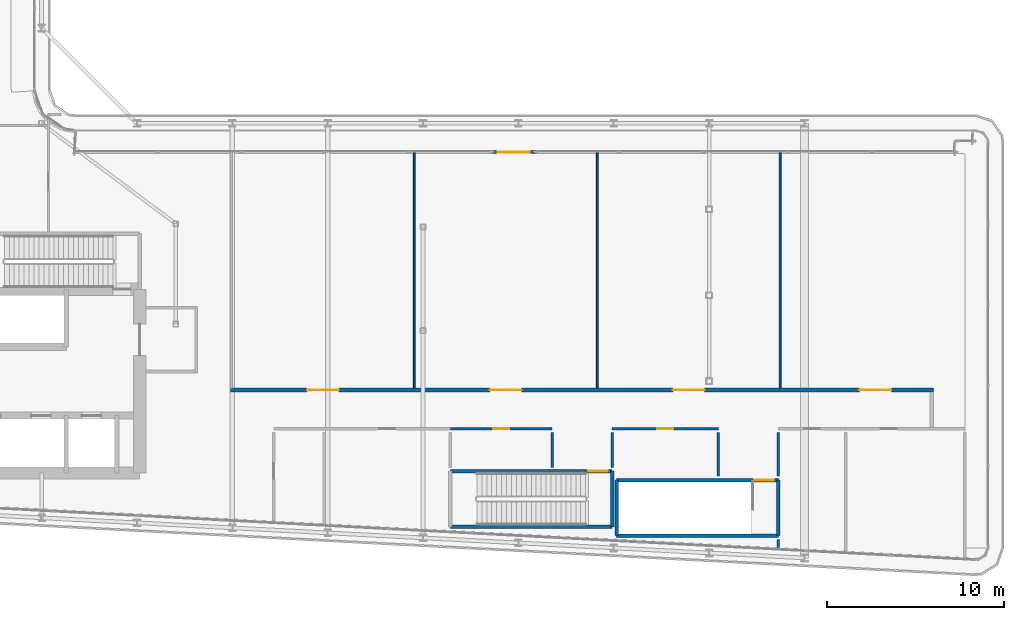
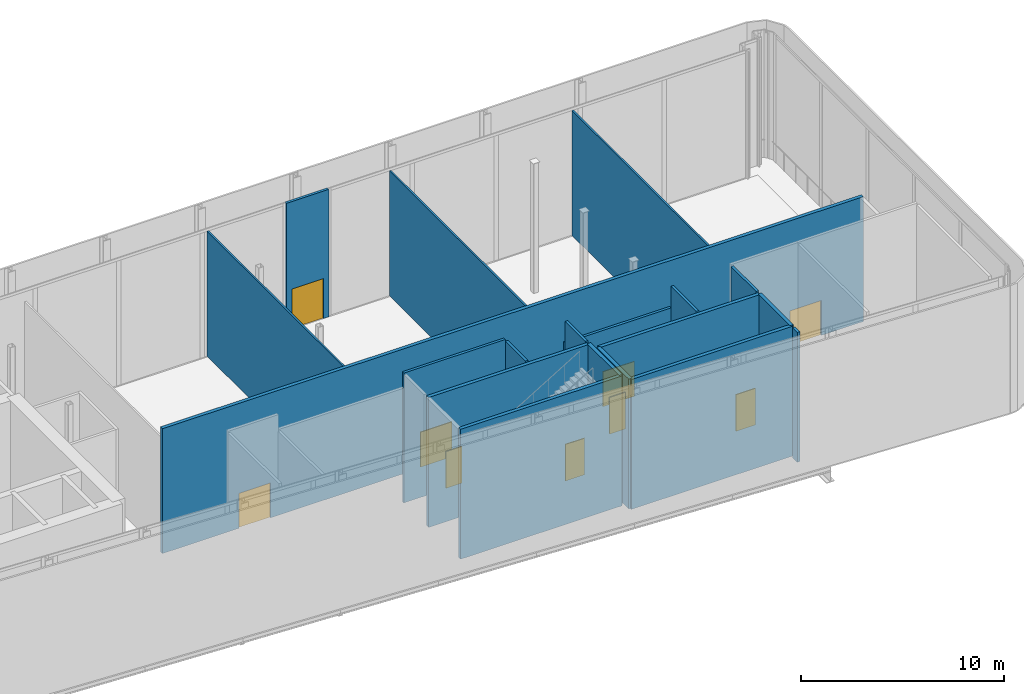
# One storey, part 28 of 38: 19 walls, 9 doors, 9 openings.
"""IFC4 building model written with IfcOpenShell, lengths in metres."""

import ifcopenshell
import ifcopenshell.guid

model = None  # the IFC model being written
_history = None  # IfcOwnerHistory: only IFC2X3 demands one
_inside = {}  # id of a spatial element -> (the spatial element, [elements in it])
_under = {}  # id of a project, library or spatial element -> (it, [spatial elements below it])
_declared = {}  # id of a project -> (the project, [libraries it declares])
_typed = {}  # id of a type object -> (the type object, [elements of that type])
_made_of = {}  # id of a material, layer set ... -> (it, [elements and type objects made of it])


def new_model(schema):
    """Start an empty IFC model of exactly this schema.

    Asked for "IFC4X3", IfcOpenShell would pick the latest addendum, in which some entities
    have other attributes; the version numbers below select the first issue.
    IFC2X3 requires an IfcOwnerHistory on every rooted entity: one is made here for all.
    """
    global model, _history
    if schema == "IFC4X3":
        model = ifcopenshell.file(schema_version=(4, 3, 0, 0))
    else:
        model = ifcopenshell.file(schema=schema)
    _inside.clear()
    _under.clear()
    _declared.clear()
    _typed.clear()
    _made_of.clear()
    _history = None
    if model.schema == "IFC2X3":
        org = make("IfcOrganization", Name="unknown")
        user = make(
            "IfcPersonAndOrganization",
            ThePerson=make("IfcPerson", FamilyName="unknown"),
            TheOrganization=org,
        )
        app = make(
            "IfcApplication",
            ApplicationDeveloper=org,
            Version="unknown",
            ApplicationFullName="unknown",
            ApplicationIdentifier="unknown",
        )
        _history = make(
            "IfcOwnerHistory",
            OwningUser=user,
            OwningApplication=app,
            ChangeAction="ADDED",
            CreationDate=0,
        )
    return model


def make(cls, **values):
    """One entity of the class cls with the attributes given. An attribute that is None is left unset."""
    return model.create_entity(
        cls, **{name: value for name, value in values.items() if value is not None}
    )


def rooted(cls, **values):
    """An entity with a GlobalId (a new one), such as an element, a storey or a relation."""
    return make(cls, GlobalId=ifcopenshell.guid.new(), OwnerHistory=_history, **values)


def si_unit(unit_type, name, prefix=None):
    """IfcSIUnit, for example si_unit("LENGTHUNIT", "METRE", prefix="MILLI")."""
    return make("IfcSIUnit", UnitType=unit_type, Prefix=prefix, Name=name)


def assignment(units):
    """IfcUnitAssignment: the units of a project."""
    return None if units is None else make("IfcUnitAssignment", Units=units)


def point(xyz):
    """IfcCartesianPoint."""
    return None if xyz is None else make("IfcCartesianPoint", Coordinates=xyz)


def direction(xyz):
    """IfcDirection."""
    return None if xyz is None else make("IfcDirection", DirectionRatios=xyz)


def frame(location, z_axis=None, x_axis=None):
    """IfcAxis2Placement3D, a coordinate frame: its origin and axes. An axis left out is left unset."""
    return make(
        "IfcAxis2Placement3D",
        Location=point(location),
        Axis=direction(z_axis),
        RefDirection=direction(x_axis),
    )


def frame_2d(location, x_axis=None):
    """IfcAxis2Placement2D, a coordinate frame in the plane: its origin and x axis."""
    return make(
        "IfcAxis2Placement2D", Location=point(location), RefDirection=direction(x_axis)
    )


def origin():
    """The frame at (0, 0, 0) with its axes left unset."""
    return frame((0.0, 0.0, 0.0))


def place(relative_to, where):
    """IfcLocalPlacement: puts the frame where relative to a parent placement (None: the world)."""
    return make(
        "IfcLocalPlacement", PlacementRelTo=relative_to, RelativePlacement=where
    )


def context(
    kind, dimensions, precision=None, world=None, true_north=None, identifier=None
):
    """IfcGeometricRepresentationContext, for example the 3D "Model" context."""
    return make(
        "IfcGeometricRepresentationContext",
        ContextIdentifier=identifier,
        ContextType=kind,
        CoordinateSpaceDimension=dimensions,
        Precision=precision,
        WorldCoordinateSystem=world,
        TrueNorth=true_north,
    )


def subcontext(parent, identifier, kind, view, scale=None):
    """IfcGeometricRepresentationSubContext, for example "Body" below "Model"."""
    return make(
        "IfcGeometricRepresentationSubContext",
        ContextIdentifier=identifier,
        ContextType=kind,
        ParentContext=parent,
        TargetScale=scale,
        TargetView=view,
    )


def project(units=None, contexts=None):
    """IfcProject with its units and contexts."""
    return rooted(
        "IfcProject",
        Name="project",
        RepresentationContexts=contexts,
        UnitsInContext=assignment(units),
    )


def spatial(cls, under=None, at=None, **own):
    """A site, building, storey or space (cls), placed at a placement, below another one or the project."""
    s = rooted(cls, ObjectPlacement=at, **own)
    if under is not None:
        _under.setdefault(under.id(), (under, []))[1].append(s)
    return s


def profile(cls, at=None, kind="AREA", **sizes):
    """A parametric profile (cls). Its sizes go by their IFC names, for example OverallWidth=200.0."""
    return make(cls, ProfileType=kind, Position=at, **sizes)


def rectangle(**sizes):
    """IfcRectangleProfileDef."""
    return profile("IfcRectangleProfileDef", **sizes)


def extrude(swept, where, along, depth):
    """IfcExtrudedAreaSolid: the profile swept, set in the frame where, extruded along a direction by depth."""
    return make(
        "IfcExtrudedAreaSolid",
        SweptArea=swept,
        Position=where,
        ExtrudedDirection=direction(along),
        Depth=depth,
    )


def shape(context_of_items, identifier, shape_type, items):
    """IfcShapeRepresentation: the items that make up one representation, for example the "Body"."""
    return make(
        "IfcShapeRepresentation",
        ContextOfItems=context_of_items,
        RepresentationIdentifier=identifier,
        RepresentationType=shape_type,
        Items=items,
    )


def source(mapping_origin, context_of_items, identifier, shape_type, items):
    """IfcRepresentationMap: a shape defined once, which mapped items show again and again."""
    return make(
        "IfcRepresentationMap",
        MappingOrigin=mapping_origin,
        MappedRepresentation=shape(context_of_items, identifier, shape_type, items),
    )


def transform(
    local_origin,
    x_axis=None,
    y_axis=None,
    z_axis=None,
    scale=None,
    scale2=None,
    scale3=None,
    uniform=True,
):
    """IfcCartesianTransformationOperator3D, or its non-uniform kind. x_axis, y_axis, z_axis: its Axis1, 2, 3."""
    if uniform:
        return make(
            "IfcCartesianTransformationOperator3D",
            Axis1=direction(x_axis),
            Axis2=direction(y_axis),
            LocalOrigin=point(local_origin),
            Scale=scale,
            Axis3=direction(z_axis),
        )
    return make(
        "IfcCartesianTransformationOperator3DnonUniform",
        Axis1=direction(x_axis),
        Axis2=direction(y_axis),
        LocalOrigin=point(local_origin),
        Scale=scale,
        Axis3=direction(z_axis),
        Scale2=scale2,
        Scale3=scale3,
    )


def mapped(mapping_source, mapping_target):
    """IfcMappedItem: shows the shape of a source again, moved by a transform."""
    return make(
        "IfcMappedItem", MappingSource=mapping_source, MappingTarget=mapping_target
    )


def material(Name=None, Category=None):
    """IfcMaterial."""
    return make("IfcMaterial", Name=Name, Category=Category)


def layer(
    of_material, thickness, ventilated=None, Name=None, Category=None, Priority=None
):
    """IfcMaterialLayer: one layer of a wall or slab, of a material (None: an air gap)."""
    return make(
        "IfcMaterialLayer",
        Material=of_material,
        LayerThickness=thickness,
        IsVentilated=ventilated,
        Name=Name,
        Category=Category,
        Priority=Priority,
    )


def layer_set(layers, Name=None):
    """IfcMaterialLayerSet."""
    return make("IfcMaterialLayerSet", MaterialLayers=layers, LayerSetName=Name)


def made_of(thing, what):
    """Note that an element or type object is made of a material, layer set ...; save() writes the relation."""
    if what is not None:
        _made_of.setdefault(what.id(), (what, []))[1].append(thing)
    return thing


def type_object(cls, material=None, **own):
    """A type object (cls), such as IfcWallType, which elements share."""
    return made_of(rooted(cls, **own), material)


def element(
    cls,
    number,
    at=None,
    inside=None,
    cuts=None,
    type_object=None,
    material=None,
    context=None,
    identifier="Body",
    shape_type=None,
    held_by="IfcProductDefinitionShape",
    body=None,
    shapes=None,
    **own,
):
    """One element of the class cls, such as IfcWall. Its Tag is "e" and its number.

    at: its placement. inside: the storey or other place that contains it. cuts: it is an
    opening in that element (IfcRelVoidsElement). A single representation is given by context,
    identifier, shape_type and body (its items); several are given by shapes. held_by: the class
    of the entity that holds the representations. save() writes the other relations.
    """
    e = rooted(cls, Tag="e%d" % number, ObjectPlacement=at, **own)
    if body is not None:
        shapes = [shape(context, identifier, shape_type, body)]
    if shapes is not None:
        e.Representation = make(held_by, Representations=shapes)
    if inside is not None:
        _inside.setdefault(inside.id(), (inside, []))[1].append(e)
    if cuts is not None:
        rooted(
            "IfcRelVoidsElement", RelatingBuildingElement=cuts, RelatedOpeningElement=e
        )
    if type_object is not None:
        _typed.setdefault(type_object.id(), (type_object, []))[1].append(e)
    return made_of(e, material)


def fill(opening, filler):
    """IfcRelFillsElement: the door or window that sits in an opening."""
    return rooted(
        "IfcRelFillsElement",
        RelatingOpeningElement=opening,
        RelatedBuildingElement=filler,
    )


def aggregate(whole, parts):
    """IfcRelAggregates: a whole, such as a stair, and the parts it consists of."""
    return rooted("IfcRelAggregates", RelatingObject=whole, RelatedObjects=parts)


def save(model, path):
    """Write the relations noted so far, then the file.

    IfcRelAggregates (storeys below a building ...), IfcRelContainedInSpatialStructure (elements
    in a storey), IfcRelDefinesByType, IfcRelAssociatesMaterial and IfcRelDeclares: one each for
    every whole, place, type object, material and project.
    """
    for whole, parts in _under.values():
        aggregate(whole, parts)
    for where, things in _inside.values():
        rooted(
            "IfcRelContainedInSpatialStructure",
            RelatedElements=things,
            RelatingStructure=where,
        )
    for kind, things in _typed.values():
        rooted("IfcRelDefinesByType", RelatedObjects=things, RelatingType=kind)
    for what, things in _made_of.values():
        rooted("IfcRelAssociatesMaterial", RelatedObjects=things, RelatingMaterial=what)
    for by, libraries in _declared.values():
        rooted("IfcRelDeclares", RelatingContext=by, RelatedDefinitions=libraries)
    model.write(path)


model = new_model("IFC4")

# Units and contexts
model_context = context("Model", 3, precision=1e-05, world=origin(), true_north=direction((0.0, 1.0)))
body_context = subcontext(model_context, "Body", "Model", "MODEL_VIEW")
ifc_project = project(units=[si_unit("LENGTHUNIT", "METRE"), si_unit("AREAUNIT", "SQUARE_METRE"), si_unit("VOLUMEUNIT", "CUBIC_METRE"), si_unit("PLANEANGLEUNIT", "RADIAN"), si_unit("MASSUNIT", "GRAM", prefix="KILO")], contexts=[model_context])

# Site, building, storey
site_placement = place(None, origin())
site = spatial("IfcSite", under=ifc_project, at=site_placement, CompositionType="ELEMENT")
building_placement = place(site_placement, origin())
building = spatial("IfcBuilding", under=site, at=building_placement, Name="Kheshtan School and Residences Tower", CompositionType="ELEMENT")
storey_placement = place(building_placement, frame((0.0, 0.0, 203.300048828125)))
storey = spatial("IfcBuildingStorey", under=building, at=storey_placement, Name="L48", CompositionType="ELEMENT", Elevation=203.300048828125)

# Wall, openings, doors
ifc_material_1 = material(Name="Gypsum board on steel studs with fire boards", Category="steel")
ifc_layer_1 = layer(ifc_material_1, 0.199951171875)
ifc_layer_set_1 = layer_set([ifc_layer_1], Name="Corridor wall 200")
wall_type_1 = type_object("IfcWallType", Name="Corridor wall 200", PredefinedType="PARTITIONING", material=ifc_layer_set_1)
wall_1_placement = place(storey_placement, frame((58.298095703125, 30.5, 0.0), z_axis=(0.0, 0.0, 1.0), x_axis=(1.0, 0.0, 0.0)))
wall_1 = element("IfcWall", 1, at=wall_1_placement, inside=storey, type_object=wall_type_1, Name="Partition L48-029", PredefinedType="PARTITIONING", context=body_context, shape_type="SweptSolid", body=[
    extrude(rectangle(XDim=39.802001953125, YDim=0.199951171875, at=frame_2d((19.90087890625, 0.0))), origin(), (0.0, 0.0, 1.0), 7.5),
])
opening_1_placement = place(wall_1_placement, frame((4.333984375, 0.0, 0.0)))
opening_1 = element("IfcOpeningElement", 2, at=opening_1_placement, cuts=wall_1, Name="Opening D48-002", PredefinedType="OPENING", context=body_context, shape_type="SweptSolid", body=[
    extrude(rectangle(XDim=1.800048828125, YDim=2.10009765625, at=frame_2d((0.89990234375, 1.050048828125))), frame((0.0, 0.10986328125, 0.0), z_axis=(0.0, -1.0, 0.0), x_axis=(1.0, 0.0, 0.0)), (0.0, 0.0, 1.0), 0.219970703125),
])
opening_2_placement = place(wall_1_placement, frame((14.69189453125, 0.0, 0.0)))
opening_2 = element("IfcOpeningElement", 3, at=opening_2_placement, cuts=wall_1, Name="Opening D48-003", PredefinedType="OPENING", context=body_context, shape_type="SweptSolid", body=[
    extrude(rectangle(XDim=1.800048828125, YDim=2.10009765625, at=frame_2d((0.89990234375, 1.050048828125))), frame((0.0, 0.10986328125, 0.0), z_axis=(0.0, -1.0, 0.0), x_axis=(1.0, 0.0, 0.0)), (0.0, 0.0, 1.0), 0.219970703125),
])
opening_3_placement = place(wall_1_placement, frame((25.050048828125, 0.0, 0.0)))
opening_3 = element("IfcOpeningElement", 4, at=opening_3_placement, cuts=wall_1, Name="Opening D48-004", PredefinedType="OPENING", context=body_context, shape_type="SweptSolid", body=[
    extrude(rectangle(XDim=1.800048828125, YDim=2.10009765625, at=frame_2d((0.89990234375, 1.050048828125))), frame((0.0, 0.10986328125, 0.0), z_axis=(0.0, -1.0, 0.0), x_axis=(1.0, 0.0, 0.0)), (0.0, 0.0, 1.0), 0.219970703125),
])
opening_4_placement = place(wall_1_placement, frame((35.617919921875, 0.0, 0.0)))
opening_4 = element("IfcOpeningElement", 5, at=opening_4_placement, cuts=wall_1, Name="Opening D48-005", PredefinedType="OPENING", context=body_context, shape_type="SweptSolid", body=[
    extrude(rectangle(XDim=1.800048828125, YDim=2.10009765625, at=frame_2d((0.89990234375, 1.050048828125))), frame((0.0, 0.10986328125, 0.0), z_axis=(0.0, -1.0, 0.0), x_axis=(1.0, 0.0, 0.0)), (0.0, 0.0, 1.0), 0.219970703125),
])
ifc_material_2 = material(Name="Steel-framed fire-resisting door leaf", Category="steel")
door_type_1 = type_object("IfcDoorType", Name="Fire double door FD60 1800 x 2100", OperationType="DOUBLE_DOOR_SINGLE_SWING", PredefinedType="DOOR", material=ifc_material_2)
shared_shape_1 = source(origin(), body_context, "Body", "SweptSolid", [
    extrude(rectangle(XDim=1.800048828125, YDim=2.10009765625, at=frame_2d((0.89990234375, 1.050048828125))), frame((0.0, 0.02490234375, 0.0), z_axis=(0.0, -1.0, 0.0), x_axis=(1.0, 0.0, 0.0)), (0.0, 0.0, 1.0), 0.050048828125),
])
door_1_placement = place(opening_1_placement, origin())
door_1 = element("IfcDoor", 6, at=door_1_placement, inside=storey, type_object=door_type_1, Name="Door D48-002", OperationType="DOUBLE_DOOR_SINGLE_SWING", OverallHeight=2.10009765625, OverallWidth=1.800048828125, PredefinedType="DOOR", context=body_context, shape_type="MappedRepresentation", body=[
    mapped(shared_shape_1, transform((0.0, 0.0, 0.0), x_axis=(1.0, 0.0, 0.0), y_axis=(0.0, 1.0, 0.0), z_axis=(0.0, 0.0, 1.0), scale=1.0)),
])
fill(opening_1, door_1)
door_2_placement = place(opening_2_placement, origin())
door_2 = element("IfcDoor", 7, at=door_2_placement, inside=storey, type_object=door_type_1, Name="Door D48-003", OperationType="DOUBLE_DOOR_SINGLE_SWING", OverallHeight=2.10009765625, OverallWidth=1.800048828125, PredefinedType="DOOR", context=body_context, shape_type="MappedRepresentation", body=[
    mapped(shared_shape_1, transform((0.0, 0.0, 0.0), x_axis=(1.0, 0.0, 0.0), y_axis=(0.0, 1.0, 0.0), z_axis=(0.0, 0.0, 1.0), scale=1.0)),
])
fill(opening_2, door_2)
door_3_placement = place(opening_3_placement, origin())
door_3 = element("IfcDoor", 8, at=door_3_placement, inside=storey, type_object=door_type_1, Name="Door D48-004", OperationType="DOUBLE_DOOR_SINGLE_SWING", OverallHeight=2.10009765625, OverallWidth=1.800048828125, PredefinedType="DOOR", context=body_context, shape_type="MappedRepresentation", body=[
    mapped(shared_shape_1, transform((0.0, 0.0, 0.0), x_axis=(1.0, 0.0, 0.0), y_axis=(0.0, 1.0, 0.0), z_axis=(0.0, 0.0, 1.0), scale=1.0)),
])
fill(opening_3, door_3)
door_4_placement = place(opening_4_placement, origin())
door_4 = element("IfcDoor", 9, at=door_4_placement, inside=storey, type_object=door_type_1, Name="Door D48-005", OperationType="DOUBLE_DOOR_SINGLE_SWING", OverallHeight=2.10009765625, OverallWidth=1.800048828125, PredefinedType="DOOR", context=body_context, shape_type="MappedRepresentation", body=[
    mapped(shared_shape_1, transform((0.0, 0.0, 0.0), x_axis=(1.0, 0.0, 0.0), y_axis=(0.0, 1.0, 0.0), z_axis=(0.0, 0.0, 1.0), scale=1.0)),
])
fill(opening_4, door_4)

# Wall, opening, door
ifc_material_3 = material(Name="Aluminium frame wall with insulated infill", Category="aluminium")
ifc_layer_2 = layer(ifc_material_3, 0.14990234375)
ifc_layer_set_2 = layer_set([ifc_layer_2], Name="Glazing frame wall 150")
wall_type_2 = type_object("IfcWallType", Name="Glazing frame wall 150", PredefinedType="SOLIDWALL", material=ifc_layer_set_2)
wall_2_placement = place(storey_placement, frame((73.1298828125, 43.97509765625, 0.0), z_axis=(0.0, 0.0, 1.0), x_axis=(1.0, 0.0, 0.0)))
wall_2 = element("IfcWall", 10, at=wall_2_placement, inside=storey, type_object=wall_type_2, Name="Terrace door wall L48 5", PredefinedType="SOLIDWALL", context=body_context, shape_type="SweptSolid", body=[
    extrude(rectangle(XDim=2.400146484375, YDim=0.14990234375, at=frame_2d((1.2001953125, 0.0))), origin(), (0.0, 0.0, 1.0), 7.64990234375),
])
opening_5_placement = place(wall_2_placement, frame((0.300048828125, 0.0, 0.0)))
opening_5 = element("IfcOpeningElement", 11, at=opening_5_placement, cuts=wall_2, Name="Opening BD", PredefinedType="OPENING", context=body_context, shape_type="SweptSolid", body=[
    extrude(rectangle(XDim=1.800048828125, YDim=2.39990234375, at=frame_2d((0.89990234375, 1.199951171875))), frame((0.0, 0.0849609375, 0.0), z_axis=(0.0, -1.0, 0.0), x_axis=(1.0, 0.0, 0.0)), (0.0, 0.0, 1.0), 0.169921875),
])
ifc_material_4 = material(Name="Clear low-e glass in thermally broken aluminium frame", Category="aluminium")
door_type_2 = type_object("IfcDoorType", Name="Balcony sliding door", OperationType="SLIDING_TO_LEFT", PredefinedType="DOOR", material=ifc_material_4)
shared_shape_2 = source(origin(), body_context, "Body", "SweptSolid", [
    extrude(rectangle(XDim=1.800048828125, YDim=2.39990234375, at=frame_2d((0.89990234375, 1.199951171875))), frame((0.0, 0.02490234375, 0.0), z_axis=(0.0, -1.0, 0.0), x_axis=(1.0, 0.0, 0.0)), (0.0, 0.0, 1.0), 0.050048828125),
])
door_5_placement = place(opening_5_placement, origin())
door_5 = element("IfcDoor", 12, at=door_5_placement, inside=storey, type_object=door_type_2, Name="Terrace door L48 5", OperationType="SLIDING_TO_LEFT", OverallHeight=2.39990234375, OverallWidth=1.800048828125, PredefinedType="DOOR", context=body_context, shape_type="MappedRepresentation", body=[
    mapped(shared_shape_2, transform((0.0, 0.0, 0.0), x_axis=(1.0, 0.0, 0.0), y_axis=(0.0, 1.0, 0.0), z_axis=(0.0, 0.0, 1.0), scale=1.0)),
])
fill(opening_5, door_5)

# Walls
ifc_material_5 = material(Name="Gypsum board on steel studs", Category="steel")
ifc_layer_3 = layer(ifc_material_5, 0.10009765625)
ifc_layer_set_3 = layer_set([ifc_layer_3], Name="Gypsum partition 100")
wall_type_3 = type_object("IfcWallType", Name="Gypsum partition 100", PredefinedType="PARTITIONING", material=ifc_layer_set_3)
for number, where, z_axis, x_axis, name in (
    (13, (68.7060546875, 30.60009765625, 0.0), (0.0, 0.0, 1.0), (0.0, 1.0, 0.0), "Partition L48-031"),
    (14, (79.06396484375, 30.60009765625, 0.0), (0.0, 0.0, 1.0), (0.0, 1.0, 0.0), "Partition L48-032"),
    (15, (89.422119140625, 30.60009765625, 0.0), (0.0, 0.0, 1.0), (0.0, 1.0, 0.0), "Partition L48-033"),
):
    element("IfcWall", number, at=place(storey_placement, frame(where, z_axis=z_axis, x_axis=x_axis)), inside=storey, type_object=wall_type_3, Name=name, PredefinedType="PARTITIONING", context=body_context, shape_type="SweptSolid", body=[
        extrude(rectangle(XDim=13.369873046875, YDim=0.10009765625, at=frame_2d((6.68505859375, 0.0))), origin(), (0.0, 0.0, 1.0), 7.5),
    ])

# Wall, opening, door
ifc_material_6 = material(Name="Fire-board shaft wall system")
ifc_layer_4 = layer(ifc_material_6, 0.14990234375)
ifc_layer_set_4 = layer_set([ifc_layer_4], Name="Service room wall 150")
wall_type_4 = type_object("IfcWallType", Name="Service room wall 150", PredefinedType="PARTITIONING", material=ifc_layer_set_4)
wall_3_placement = place(storey_placement, frame((70.75, 28.300048828125, 0.0), z_axis=(0.0, 0.0, 1.0), x_axis=(1.0, 0.0, 0.0)))
wall_3 = element("IfcWall", 16, at=wall_3_placement, inside=storey, type_object=wall_type_4, Name="Service room wall", PredefinedType="PARTITIONING", context=body_context, shape_type="SweptSolid", body=[
    extrude(rectangle(XDim=5.760009765625, YDim=0.14990234375, at=frame_2d((2.8798828125, 0.0))), origin(), (0.0, 0.0, 1.0), 7.800048828125),
])
opening_6_placement = place(wall_3_placement, frame((2.429931640625, 0.0, 0.0)))
opening_6 = element("IfcOpeningElement", 17, at=opening_6_placement, cuts=wall_3, Name="Opening SR90", PredefinedType="OPENING", context=body_context, shape_type="SweptSolid", body=[
    extrude(rectangle(XDim=0.89990234375, YDim=2.199951171875, at=frame_2d((0.449951171875, 1.10009765625))), frame((0.0, 0.0849609375, 0.0), z_axis=(0.0, -1.0, 0.0), x_axis=(1.0, 0.0, 0.0)), (0.0, 0.0, 1.0), 0.169921875),
])
ifc_material_7 = material(Name="Steel door leaf, galvanised", Category="steel")
door_type_3 = type_object("IfcDoorType", Name="Service room door 900 steel 90 min", OperationType="SINGLE_SWING_LEFT", PredefinedType="DOOR", material=ifc_material_7)
shared_shape_3 = source(origin(), body_context, "Body", "SweptSolid", [
    extrude(rectangle(XDim=0.89990234375, YDim=2.199951171875, at=frame_2d((0.449951171875, 1.10009765625))), frame((0.0, 0.02490234375, 0.0), z_axis=(0.0, -1.0, 0.0), x_axis=(1.0, 0.0, 0.0)), (0.0, 0.0, 1.0), 0.050048828125),
])
door_6_placement = place(opening_6_placement, origin())
door_6 = element("IfcDoor", 18, at=door_6_placement, inside=storey, type_object=door_type_3, Name="Service room door", OperationType="SINGLE_SWING_LEFT", OverallHeight=2.199951171875, OverallWidth=0.89990234375, PredefinedType="DOOR", context=body_context, shape_type="MappedRepresentation", body=[
    mapped(shared_shape_3, transform((0.0, 0.0, 0.0), x_axis=(1.0, 0.0, 0.0), y_axis=(0.0, 1.0, 0.0), z_axis=(0.0, 0.0, 1.0), scale=1.0)),
])
fill(opening_6, door_6)

# Wall
wall_4_placement = place(storey_placement, frame((76.510009765625, 26.1201171875, 0.0), z_axis=(0.0, 0.0, 1.0), x_axis=(0.0, 1.0, 0.0)))
element("IfcWall", 19, at=wall_4_placement, inside=storey, type_object=wall_type_4, Name="Service room wall", PredefinedType="PARTITIONING", context=body_context, shape_type="SweptSolid", body=[
    extrude(rectangle(XDim=1.98486328125, YDim=0.14990234375, at=frame_2d((0.992431640625, 0.0))), origin(), (0.0, 0.0, 1.0), 7.800048828125),
])

# Wall, opening, door
wall_5_placement = place(storey_placement, frame((79.909912109375, 28.300048828125, 0.0), z_axis=(0.0, 0.0, 1.0), x_axis=(1.0, 0.0, 0.0)))
wall_5 = element("IfcWall", 20, at=wall_5_placement, inside=storey, type_object=wall_type_4, Name="Service room wall", PredefinedType="PARTITIONING", context=body_context, shape_type="SweptSolid", body=[
    extrude(rectangle(XDim=6.010009765625, YDim=0.14990234375, at=frame_2d((3.0048828125, 0.0))), origin(), (0.0, 0.0, 1.0), 6.39990234375),
])
opening_7_placement = place(wall_5_placement, frame((2.554931640625, 0.0, 0.0)))
opening_7 = element("IfcOpeningElement", 21, at=opening_7_placement, cuts=wall_5, Name="Opening SR90", PredefinedType="OPENING", context=body_context, shape_type="SweptSolid", body=[
    extrude(rectangle(XDim=0.89990234375, YDim=2.199951171875, at=frame_2d((0.449951171875, 1.10009765625))), frame((0.0, 0.0849609375, 0.0), z_axis=(0.0, -1.0, 0.0), x_axis=(1.0, 0.0, 0.0)), (0.0, 0.0, 1.0), 0.169921875),
])
door_7_placement = place(opening_7_placement, origin())
door_7 = element("IfcDoor", 22, at=door_7_placement, inside=storey, type_object=door_type_3, Name="Service room door", OperationType="SINGLE_SWING_LEFT", OverallHeight=2.199951171875, OverallWidth=0.89990234375, PredefinedType="DOOR", context=body_context, shape_type="MappedRepresentation", body=[
    mapped(shared_shape_3, transform((0.0, 0.0, 0.0), x_axis=(1.0, 0.0, 0.0), y_axis=(0.0, 1.0, 0.0), z_axis=(0.0, 0.0, 1.0), scale=1.0)),
])
fill(opening_7, door_7)

# Walls
wall_6_placement = place(storey_placement, frame((79.909912109375, 26.1201171875, 0.0), z_axis=(0.0, 0.0, 1.0), x_axis=(0.0, 1.0, 0.0)))
element("IfcWall", 23, at=wall_6_placement, inside=storey, type_object=wall_type_4, Name="Service room wall", PredefinedType="PARTITIONING", context=body_context, shape_type="SweptSolid", body=[
    extrude(rectangle(XDim=1.98486328125, YDim=0.14990234375, at=frame_2d((0.992431640625, 0.0))), origin(), (0.0, 0.0, 1.0), 7.800048828125),
])
wall_7_placement = place(storey_placement, frame((85.919921875, 25.6201171875, 0.0), z_axis=(0.0, 0.0, 1.0), x_axis=(0.0, 1.0, 0.0)))
element("IfcWall", 24, at=wall_7_placement, inside=storey, type_object=wall_type_4, Name="Service room wall", PredefinedType="PARTITIONING", context=body_context, shape_type="SweptSolid", body=[
    extrude(rectangle(XDim=2.48486328125, YDim=0.14990234375, at=frame_2d((1.242431640625, 0.0))), origin(), (0.0, 0.0, 1.0), 7.800048828125),
])
wall_8_placement = place(storey_placement, frame((89.320068359375, 21.571044921875, 0.0), z_axis=(0.0, 0.0, 1.0), x_axis=(0.0, 1.0, 0.0)))
element("IfcWall", 25, at=wall_8_placement, inside=storey, type_object=wall_type_4, Name="Service room wall", PredefinedType="PARTITIONING", context=body_context, shape_type="SweptSolid", body=[
    extrude(rectangle(XDim=0.458984375, YDim=0.14990234375, at=frame_2d((0.2294921875, 0.0))), origin(), (0.0, 0.0, 1.0), 7.800048828125),
])
wall_9_placement = place(storey_placement, frame((89.320068359375, 25.6201171875, 0.0), z_axis=(0.0, 0.0, 1.0), x_axis=(0.0, 1.0, 0.0)))
element("IfcWall", 26, at=wall_9_placement, inside=storey, type_object=wall_type_4, Name="Service room wall", PredefinedType="PARTITIONING", context=body_context, shape_type="SweptSolid", body=[
    extrude(rectangle(XDim=2.48486328125, YDim=0.14990234375, at=frame_2d((1.242431640625, 0.0))), origin(), (0.0, 0.0, 1.0), 7.800048828125),
])
ifc_material_8 = material(Name="Concrete C40/50", Category="concrete")
ifc_layer_5 = layer(ifc_material_8, 0.199951171875)
ifc_layer_set_5 = layer_set([ifc_layer_5], Name="Stair enclosure wall 200 Concrete C40/50")
wall_type_5 = type_object("IfcWallType", Name="Stair enclosure wall 200 Concrete C40/50", PredefinedType="SHEAR", material=ifc_layer_set_5)
wall_10_placement = place(storey_placement, frame((80.159912109375, 22.25, 0.0), z_axis=(0.0, 0.0, 1.0), x_axis=(1.0, 0.0, 0.0)))
element("IfcWall", 27, at=wall_10_placement, inside=storey, type_object=wall_type_5, Name="Stair enclosure wall ST4", PredefinedType="SHEAR", context=body_context, shape_type="SweptSolid", body=[
    extrude(rectangle(XDim=9.16015625, YDim=0.199951171875, at=frame_2d((4.580078125, 0.0))), origin(), (0.0, 0.0, 1.0), 7.800048828125),
])

# Wall, opening, door
wall_11_placement = place(storey_placement, frame((80.159912109375, 25.39990234375, 0.0), z_axis=(0.0, 0.0, 1.0), x_axis=(1.0, 0.0, 0.0)))
wall_11 = element("IfcWall", 28, at=wall_11_placement, inside=storey, type_object=wall_type_5, Name="Stair enclosure wall ST4", PredefinedType="SHEAR", context=body_context, shape_type="SweptSolid", body=[
    extrude(rectangle(XDim=9.16015625, YDim=0.199951171875, at=frame_2d((4.580078125, 0.0))), origin(), (0.0, 0.0, 1.0), 7.800048828125),
])
opening_8_placement = place(wall_11_placement, frame((7.81005859375, 0.0, 0.0)))
opening_8 = element("IfcOpeningElement", 29, at=opening_8_placement, cuts=wall_11, Name="Opening ST4D", PredefinedType="OPENING", context=body_context, shape_type="SweptSolid", body=[
    extrude(rectangle(XDim=1.10009765625, YDim=2.199951171875, at=frame_2d((0.550048828125, 1.10009765625))), frame((0.0, 0.10986328125, 0.0), z_axis=(0.0, -1.0, 0.0), x_axis=(1.0, 0.0, 0.0)), (0.0, 0.0, 1.0), 0.219970703125),
])
door_type_4 = type_object("IfcDoorType", Name="Stair door 1100 steel 90 min", OperationType="SINGLE_SWING_LEFT", PredefinedType="DOOR", material=ifc_material_7)
shared_shape_4 = source(origin(), body_context, "Body", "SweptSolid", [
    extrude(rectangle(XDim=1.10009765625, YDim=2.199951171875, at=frame_2d((0.550048828125, 1.10009765625))), frame((0.0, 0.02490234375, 0.0), z_axis=(0.0, -1.0, 0.0), x_axis=(1.0, 0.0, 0.0)), (0.0, 0.0, 1.0), 0.050048828125),
])
door_8_placement = place(opening_8_placement, origin())
door_8 = element("IfcDoor", 30, at=door_8_placement, inside=storey, type_object=door_type_4, Name="Stair ST4 door", OperationType="SINGLE_SWING_LEFT", OverallHeight=2.199951171875, OverallWidth=1.10009765625, PredefinedType="DOOR", context=body_context, shape_type="MappedRepresentation", body=[
    mapped(shared_shape_4, transform((0.0, 0.0, 0.0), x_axis=(1.0, 0.0, 0.0), y_axis=(0.0, 1.0, 0.0), z_axis=(0.0, 0.0, 1.0), scale=1.0)),
])
fill(opening_8, door_8)

# Walls
for number, where, z_axis, x_axis, name in (
    (31, (80.159912109375, 22.25, 0.0), (0.0, 0.0, 1.0), (0.0, 1.0, 0.0), "Stair enclosure wall ST4"),
    (32, (89.320068359375, 22.25, 0.0), (0.0, 0.0, 1.0), (0.0, 1.0, 0.0), "Stair enclosure wall ST4"),
):
    element("IfcWall", number, at=place(storey_placement, frame(where, z_axis=z_axis, x_axis=x_axis)), inside=storey, type_object=wall_type_5, Name=name, PredefinedType="SHEAR", context=body_context, shape_type="SweptSolid", body=[
        extrude(rectangle(XDim=3.14990234375, YDim=0.199951171875, at=frame_2d((1.574951171875, 0.0))), origin(), (0.0, 0.0, 1.0), 7.800048828125),
    ])
wall_12_placement = place(storey_placement, frame((70.75, 22.75, 0.0), z_axis=(0.0, 0.0, 1.0), x_axis=(1.0, 0.0, 0.0)))
element("IfcWall", 33, at=wall_12_placement, inside=storey, type_object=wall_type_5, Name="Stair enclosure wall ST5", PredefinedType="SHEAR", context=body_context, shape_type="SweptSolid", body=[
    extrude(rectangle(XDim=9.159912109375, YDim=0.199951171875, at=frame_2d((4.580078125, 0.0))), origin(), (0.0, 0.0, 1.0), 7.800048828125),
])

# Wall, opening, door
wall_13_placement = place(storey_placement, frame((70.75, 25.89990234375, 0.0), z_axis=(0.0, 0.0, 1.0), x_axis=(1.0, 0.0, 0.0)))
wall_13 = element("IfcWall", 34, at=wall_13_placement, inside=storey, type_object=wall_type_5, Name="Stair enclosure wall ST5", PredefinedType="SHEAR", context=body_context, shape_type="SweptSolid", body=[
    extrude(rectangle(XDim=9.159912109375, YDim=0.199951171875, at=frame_2d((4.580078125, 0.0))), origin(), (0.0, 0.0, 1.0), 7.800048828125),
])
opening_9_placement = place(wall_13_placement, frame((7.81005859375, 0.0, 0.0)))
opening_9 = element("IfcOpeningElement", 35, at=opening_9_placement, cuts=wall_13, Name="Opening ST5D", PredefinedType="OPENING", context=body_context, shape_type="SweptSolid", body=[
    extrude(rectangle(XDim=1.10009765625, YDim=2.199951171875, at=frame_2d((0.550048828125, 1.10009765625))), frame((0.0, 0.10986328125, 0.0), z_axis=(0.0, -1.0, 0.0), x_axis=(1.0, 0.0, 0.0)), (0.0, 0.0, 1.0), 0.219970703125),
])
door_9_placement = place(opening_9_placement, origin())
door_9 = element("IfcDoor", 36, at=door_9_placement, inside=storey, type_object=door_type_4, Name="Stair ST5 door", OperationType="SINGLE_SWING_LEFT", OverallHeight=2.199951171875, OverallWidth=1.10009765625, PredefinedType="DOOR", context=body_context, shape_type="MappedRepresentation", body=[
    mapped(shared_shape_4, transform((0.0, 0.0, 0.0), x_axis=(1.0, 0.0, 0.0), y_axis=(0.0, 1.0, 0.0), z_axis=(0.0, 0.0, 1.0), scale=1.0)),
])
fill(opening_9, door_9)

# Wall
wall_14_placement = place(storey_placement, frame((79.909912109375, 22.75, 0.0), z_axis=(0.0, 0.0, 1.0), x_axis=(0.0, 1.0, 0.0)))
element("IfcWall", 37, at=wall_14_placement, inside=storey, type_object=wall_type_5, Name="Stair enclosure wall ST5", PredefinedType="SHEAR", context=body_context, shape_type="SweptSolid", body=[
    extrude(rectangle(XDim=3.14990234375, YDim=0.199951171875, at=frame_2d((1.574951171875, 0.0))), origin(), (0.0, 0.0, 1.0), 7.800048828125),
])

save(model, "model.ifc")
